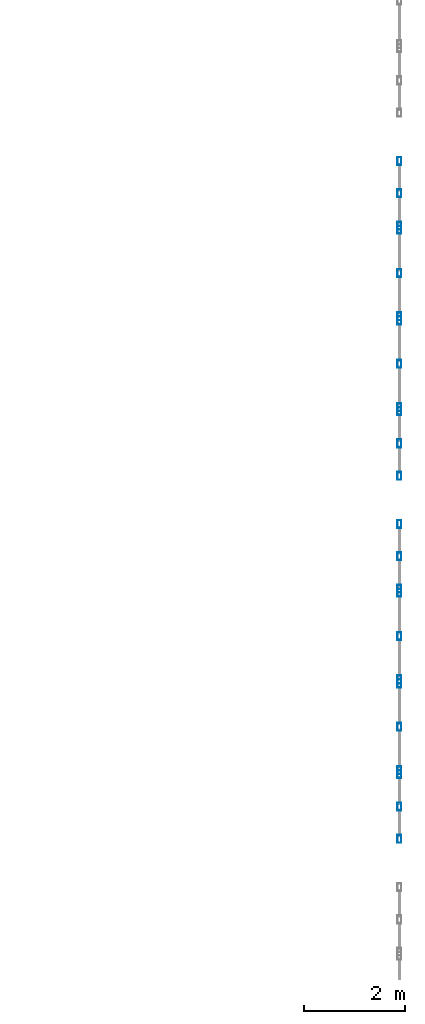
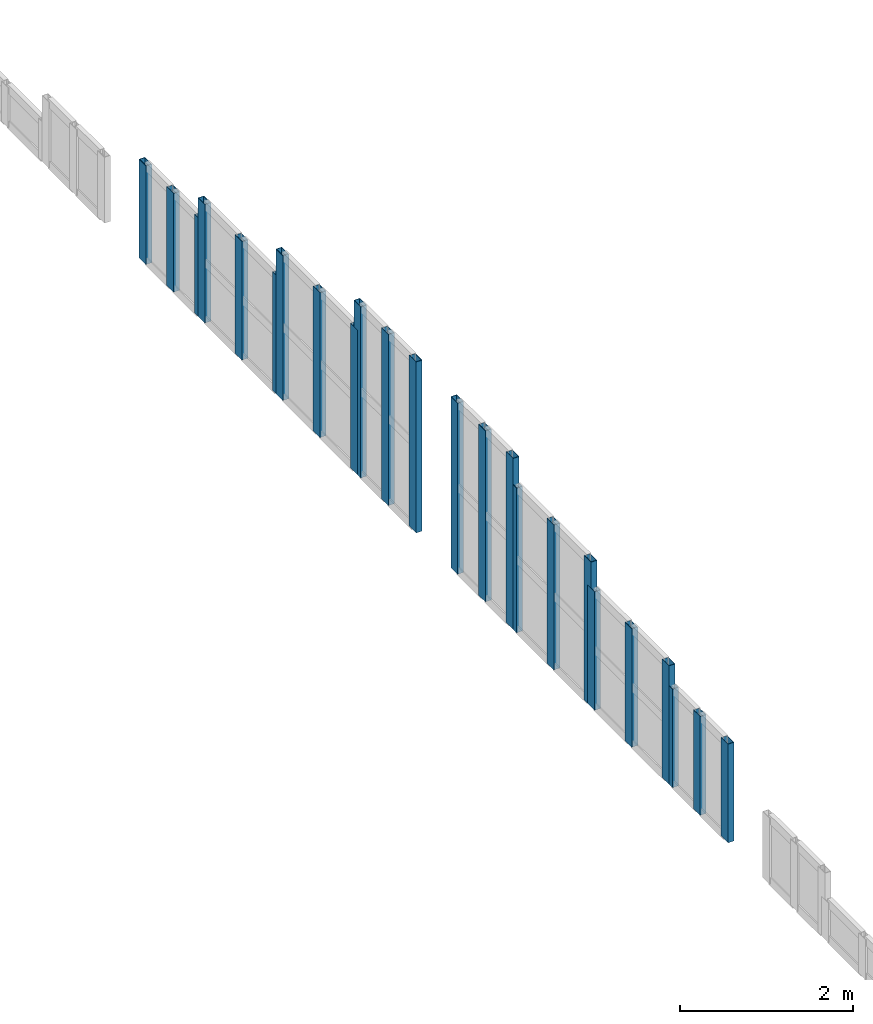
# One storey, part 4 of 20: 24 members, 8 elements without a shape of their own.
"""IFC4 building model written with IfcOpenShell, lengths in metres."""

from ifc_helpers import new_model, si_unit, direction, frame, origin, origin_2d, place, context, subcontext, project, spatial, hollow_rectangle, extrude, material, layer, layer_set, material_profile, profile_set, type_object, element, aggregate, save


model = new_model("IFC4")

# Units and contexts
model_context = context("Model", 3, precision=1e-05, world=origin(), true_north=direction((0.0, 1.0)))
body_context = subcontext(model_context, "Body", "Model", "MODEL_VIEW")
ifc_project = project(units=[si_unit("LENGTHUNIT", "METRE"), si_unit("AREAUNIT", "SQUARE_METRE"), si_unit("VOLUMEUNIT", "CUBIC_METRE"), si_unit("PLANEANGLEUNIT", "RADIAN"), si_unit("MASSUNIT", "GRAM", prefix="KILO"), si_unit("THERMODYNAMICTEMPERATUREUNIT", "KELVIN"), si_unit("POWERUNIT", "WATT")], contexts=[model_context])

# Site, building, storey
site_placement = place(None, origin())
site = spatial("IfcSite", under=ifc_project, at=site_placement, CompositionType="ELEMENT")
building_placement = place(site_placement, origin())
building = spatial("IfcBuilding", under=site, at=building_placement, Name="Kaldorven Railside Theatre", CompositionType="ELEMENT")
storey_placement = place(building_placement, frame((0.0, 0.0, 23.10009765625)))
storey = spatial("IfcBuildingStorey", under=building, at=storey_placement, Name="L05", CompositionType="ELEMENT", Elevation=23.10009765625)

# Curtain wall, members
ifc_material_1 = material(Name="Low-E laminated solar-control glass", Category="glass")
ifc_layer_1 = layer(ifc_material_1, 0.159912109375, Name="Low-E laminated solar-control glass")
ifc_layer_set_1 = layer_set([ifc_layer_1], Name="Low-E laminated solar-control glass")
curtain_wall_type_1 = type_object("IfcCurtainWallType", Name="CWT-73", PredefinedType="USERDEFINED", material=ifc_layer_set_1)
curtain_wall_1_placement = place(storey_placement, origin())
curtain_wall_1 = element("IfcCurtainWall", 1, at=curtain_wall_1_placement, inside=storey, type_object=curtain_wall_type_1, Name="Production East Gable Clerestory CWG-174", ObjectType="FLUTED GLAZING", PredefinedType="USERDEFINED")
ifc_material_2 = material(Name="Anodised bronze aluminium", Category="aluminium")
ifc_material_profile = material_profile(ifc_material_2, hollow_rectangle(XDim=0.080078125, YDim=0.159912109375, WallThickness=0.00634765625, at=origin_2d()), Name="RHS 160x80x6.3")
ifc_profile_set = profile_set([ifc_material_profile], Name="Anodised bronze aluminium")
member_type = type_object("IfcMemberType", Name="CWM-160", PredefinedType="MULLION", material=ifc_profile_set)
member_1_placement = place(storey_placement, frame((166.39990234375, 120.47998046875, 0.02001953125), z_axis=(0.0, 0.0, 1.0), x_axis=(-1.0, 0.0, 0.0)))
member_1 = element("IfcMember", 2, at=member_1_placement, type_object=member_type, Name="CWG-174 mullion 1", PredefinedType="MULLION", context=body_context, shape_type="SweptSolid", body=[
    extrude(hollow_rectangle(XDim=0.080078125, YDim=0.159912109375, WallThickness=0.00634765625, at=origin_2d()), origin(), (0.0, 0.0, 1.0), 1.389892578125),
])
member_2_placement = place(storey_placement, frame((166.39990234375, 121.1201171875, 0.02001953125), z_axis=(0.0, 0.0, 1.0), x_axis=(-1.0, 0.0, 0.0)))
member_2 = element("IfcMember", 3, at=member_2_placement, type_object=member_type, Name="CWG-174 mullion 2", PredefinedType="MULLION", context=body_context, shape_type="SweptSolid", body=[
    extrude(hollow_rectangle(XDim=0.080078125, YDim=0.159912109375, WallThickness=0.00634765625, at=origin_2d()), origin(), (0.0, 0.0, 1.0), 1.389892578125),
])
member_3_placement = place(storey_placement, frame((166.39990234375, 121.760009765625, 0.02001953125), z_axis=(0.0, 0.0, 1.0), x_axis=(-1.0, 0.0, 0.0)))
member_3 = element("IfcMember", 4, at=member_3_placement, type_object=member_type, Name="CWG-174 mullion 3", PredefinedType="MULLION", context=body_context, shape_type="SweptSolid", body=[
    extrude(hollow_rectangle(XDim=0.080078125, YDim=0.159912109375, WallThickness=0.00634765625, at=origin_2d()), origin(), (0.0, 0.0, 1.0), 1.389892578125),
])
aggregate(curtain_wall_1, [member_1, member_2, member_3])

ifc_layer_2 = layer(ifc_material_1, 0.159912109375, Name="Low-E laminated solar-control glass")
ifc_layer_set_2 = layer_set([ifc_layer_2], Name="Low-E laminated solar-control glass")
curtain_wall_type_2 = type_object("IfcCurtainWallType", Name="CWT-74", PredefinedType="USERDEFINED", material=ifc_layer_set_2)
curtain_wall_2_placement = place(storey_placement, origin())
curtain_wall_2 = element("IfcCurtainWall", 5, at=curtain_wall_2_placement, inside=storey, type_object=curtain_wall_type_2, Name="Production East Gable Clerestory CWG-175", ObjectType="FLUTED GLAZING", PredefinedType="USERDEFINED")
member_4_placement = place(storey_placement, frame((166.39990234375, 121.840087890625, 0.02001953125), z_axis=(0.0, 0.0, 1.0), x_axis=(-1.0, 0.0, 0.0)))
member_4 = element("IfcMember", 6, at=member_4_placement, type_object=member_type, Name="CWG-175 mullion 1", PredefinedType="MULLION", context=body_context, shape_type="SweptSolid", body=[
    extrude(hollow_rectangle(XDim=0.080078125, YDim=0.159912109375, WallThickness=0.00634765625, at=origin_2d()), origin(), (0.0, 0.0, 1.0), 1.669921875),
])
member_5_placement = place(storey_placement, frame((166.39990234375, 122.699951171875, 0.02001953125), z_axis=(0.0, 0.0, 1.0), x_axis=(-1.0, 0.0, 0.0)))
member_5 = element("IfcMember", 7, at=member_5_placement, type_object=member_type, Name="CWG-175 mullion 2", PredefinedType="MULLION", context=body_context, shape_type="SweptSolid", body=[
    extrude(hollow_rectangle(XDim=0.080078125, YDim=0.159912109375, WallThickness=0.00634765625, at=origin_2d()), origin(), (0.0, 0.0, 1.0), 1.669921875),
])
member_6_placement = place(storey_placement, frame((166.39990234375, 123.56005859375, 0.02001953125), z_axis=(0.0, 0.0, 1.0), x_axis=(-1.0, 0.0, 0.0)))
member_6 = element("IfcMember", 8, at=member_6_placement, type_object=member_type, Name="CWG-175 mullion 3", PredefinedType="MULLION", context=body_context, shape_type="SweptSolid", body=[
    extrude(hollow_rectangle(XDim=0.080078125, YDim=0.159912109375, WallThickness=0.00634765625, at=origin_2d()), origin(), (0.0, 0.0, 1.0), 1.669921875),
])
aggregate(curtain_wall_2, [member_4, member_5, member_6])

ifc_layer_3 = layer(ifc_material_1, 0.159912109375, Name="Low-E laminated solar-control glass")
ifc_layer_set_3 = layer_set([ifc_layer_3], Name="Low-E laminated solar-control glass")
curtain_wall_type_3 = type_object("IfcCurtainWallType", Name="CWT-75", PredefinedType="USERDEFINED", material=ifc_layer_set_3)
curtain_wall_3_placement = place(storey_placement, origin())
curtain_wall_3 = element("IfcCurtainWall", 9, at=curtain_wall_3_placement, inside=storey, type_object=curtain_wall_type_3, Name="Production East Gable Clerestory CWG-176", ObjectType="FLUTED GLAZING", PredefinedType="USERDEFINED")
member_7_placement = place(storey_placement, frame((166.39990234375, 123.639892578125, 0.02001953125), z_axis=(0.0, 0.0, 1.0), x_axis=(-1.0, 0.0, 0.0)))
member_7 = element("IfcMember", 10, at=member_7_placement, type_object=member_type, Name="CWG-176 mullion 1", PredefinedType="MULLION", context=body_context, shape_type="SweptSolid", body=[
    extrude(hollow_rectangle(XDim=0.080078125, YDim=0.159912109375, WallThickness=0.00634765625, at=origin_2d()), origin(), (0.0, 0.0, 1.0), 2.039794921875),
])
member_8_placement = place(storey_placement, frame((166.39990234375, 124.5, 0.02001953125), z_axis=(0.0, 0.0, 1.0), x_axis=(-1.0, 0.0, 0.0)))
member_8 = element("IfcMember", 11, at=member_8_placement, type_object=member_type, Name="CWG-176 mullion 2", PredefinedType="MULLION", context=body_context, shape_type="SweptSolid", body=[
    extrude(hollow_rectangle(XDim=0.080078125, YDim=0.159912109375, WallThickness=0.00634765625, at=origin_2d()), origin(), (0.0, 0.0, 1.0), 2.039794921875),
])
member_9_placement = place(storey_placement, frame((166.39990234375, 125.360107421875, 0.02001953125), z_axis=(0.0, 0.0, 1.0), x_axis=(-1.0, 0.0, 0.0)))
member_9 = element("IfcMember", 12, at=member_9_placement, type_object=member_type, Name="CWG-176 mullion 3", PredefinedType="MULLION", context=body_context, shape_type="SweptSolid", body=[
    extrude(hollow_rectangle(XDim=0.080078125, YDim=0.159912109375, WallThickness=0.00634765625, at=origin_2d()), origin(), (0.0, 0.0, 1.0), 2.039794921875),
])
aggregate(curtain_wall_3, [member_7, member_8, member_9])

ifc_layer_4 = layer(ifc_material_1, 0.159912109375, Name="Low-E laminated solar-control glass")
ifc_layer_set_4 = layer_set([ifc_layer_4], Name="Low-E laminated solar-control glass")
curtain_wall_type_4 = type_object("IfcCurtainWallType", Name="CWT-76", PredefinedType="USERDEFINED", material=ifc_layer_set_4)
curtain_wall_4_placement = place(storey_placement, origin())
curtain_wall_4 = element("IfcCurtainWall", 13, at=curtain_wall_4_placement, inside=storey, type_object=curtain_wall_type_4, Name="Production East Gable Clerestory CWG-177", ObjectType="FLUTED GLAZING", PredefinedType="USERDEFINED")
member_10_placement = place(storey_placement, frame((166.39990234375, 125.43994140625, 0.02001953125), z_axis=(0.0, 0.0, 1.0), x_axis=(-1.0, 0.0, 0.0)))
member_10 = element("IfcMember", 14, at=member_10_placement, type_object=member_type, Name="CWG-177 mullion 1", PredefinedType="MULLION", context=body_context, shape_type="SweptSolid", body=[
    extrude(hollow_rectangle(XDim=0.080078125, YDim=0.159912109375, WallThickness=0.00634765625, at=origin_2d()), origin(), (0.0, 0.0, 1.0), 2.409912109375),
])
member_11_placement = place(storey_placement, frame((166.39990234375, 126.080078125, 0.02001953125), z_axis=(0.0, 0.0, 1.0), x_axis=(-1.0, 0.0, 0.0)))
member_11 = element("IfcMember", 15, at=member_11_placement, type_object=member_type, Name="CWG-177 mullion 2", PredefinedType="MULLION", context=body_context, shape_type="SweptSolid", body=[
    extrude(hollow_rectangle(XDim=0.080078125, YDim=0.159912109375, WallThickness=0.00634765625, at=origin_2d()), origin(), (0.0, 0.0, 1.0), 2.409912109375),
])
member_12_placement = place(storey_placement, frame((166.39990234375, 126.719970703125, 0.02001953125), z_axis=(0.0, 0.0, 1.0), x_axis=(-1.0, 0.0, 0.0)))
member_12 = element("IfcMember", 16, at=member_12_placement, type_object=member_type, Name="CWG-177 mullion 3", PredefinedType="MULLION", context=body_context, shape_type="SweptSolid", body=[
    extrude(hollow_rectangle(XDim=0.080078125, YDim=0.159912109375, WallThickness=0.00634765625, at=origin_2d()), origin(), (0.0, 0.0, 1.0), 2.409912109375),
])
aggregate(curtain_wall_4, [member_10, member_11, member_12])

curtain_wall_5_placement = place(storey_placement, origin())
curtain_wall_5 = element("IfcCurtainWall", 17, at=curtain_wall_5_placement, inside=storey, type_object=curtain_wall_type_4, Name="Production East Gable Clerestory CWG-178", ObjectType="FLUTED GLAZING", PredefinedType="USERDEFINED")
member_13_placement = place(storey_placement, frame((166.39990234375, 127.679931640625, 0.02001953125), z_axis=(0.0, 0.0, 1.0), x_axis=(-1.0, 0.0, 0.0)))
member_13 = element("IfcMember", 18, at=member_13_placement, type_object=member_type, Name="CWG-178 mullion 1", PredefinedType="MULLION", context=body_context, shape_type="SweptSolid", body=[
    extrude(hollow_rectangle(XDim=0.080078125, YDim=0.159912109375, WallThickness=0.00634765625, at=origin_2d()), origin(), (0.0, 0.0, 1.0), 2.409912109375),
])
member_14_placement = place(storey_placement, frame((166.39990234375, 128.320068359375, 0.02001953125), z_axis=(0.0, 0.0, 1.0), x_axis=(-1.0, 0.0, 0.0)))
member_14 = element("IfcMember", 19, at=member_14_placement, type_object=member_type, Name="CWG-178 mullion 2", PredefinedType="MULLION", context=body_context, shape_type="SweptSolid", body=[
    extrude(hollow_rectangle(XDim=0.080078125, YDim=0.159912109375, WallThickness=0.00634765625, at=origin_2d()), origin(), (0.0, 0.0, 1.0), 2.409912109375),
])
member_15_placement = place(storey_placement, frame((166.39990234375, 128.9599609375, 0.02001953125), z_axis=(0.0, 0.0, 1.0), x_axis=(-1.0, 0.0, 0.0)))
member_15 = element("IfcMember", 20, at=member_15_placement, type_object=member_type, Name="CWG-178 mullion 3", PredefinedType="MULLION", context=body_context, shape_type="SweptSolid", body=[
    extrude(hollow_rectangle(XDim=0.080078125, YDim=0.159912109375, WallThickness=0.00634765625, at=origin_2d()), origin(), (0.0, 0.0, 1.0), 2.409912109375),
])
aggregate(curtain_wall_5, [member_13, member_14, member_15])

curtain_wall_6_placement = place(storey_placement, origin())
curtain_wall_6 = element("IfcCurtainWall", 21, at=curtain_wall_6_placement, inside=storey, type_object=curtain_wall_type_3, Name="Production East Gable Clerestory CWG-179", ObjectType="FLUTED GLAZING", PredefinedType="USERDEFINED")
member_16_placement = place(storey_placement, frame((166.39990234375, 129.0400390625, 0.02001953125), z_axis=(0.0, 0.0, 1.0), x_axis=(-1.0, 0.0, 0.0)))
member_16 = element("IfcMember", 22, at=member_16_placement, type_object=member_type, Name="CWG-179 mullion 1", PredefinedType="MULLION", context=body_context, shape_type="SweptSolid", body=[
    extrude(hollow_rectangle(XDim=0.080078125, YDim=0.159912109375, WallThickness=0.00634765625, at=origin_2d()), origin(), (0.0, 0.0, 1.0), 2.039794921875),
])
member_17_placement = place(storey_placement, frame((166.39990234375, 129.89990234375, 0.02001953125), z_axis=(0.0, 0.0, 1.0), x_axis=(-1.0, 0.0, 0.0)))
member_17 = element("IfcMember", 23, at=member_17_placement, type_object=member_type, Name="CWG-179 mullion 2", PredefinedType="MULLION", context=body_context, shape_type="SweptSolid", body=[
    extrude(hollow_rectangle(XDim=0.080078125, YDim=0.159912109375, WallThickness=0.00634765625, at=origin_2d()), origin(), (0.0, 0.0, 1.0), 2.039794921875),
])
member_18_placement = place(storey_placement, frame((166.39990234375, 130.760009765625, 0.02001953125), z_axis=(0.0, 0.0, 1.0), x_axis=(-1.0, 0.0, 0.0)))
member_18 = element("IfcMember", 24, at=member_18_placement, type_object=member_type, Name="CWG-179 mullion 3", PredefinedType="MULLION", context=body_context, shape_type="SweptSolid", body=[
    extrude(hollow_rectangle(XDim=0.080078125, YDim=0.159912109375, WallThickness=0.00634765625, at=origin_2d()), origin(), (0.0, 0.0, 1.0), 2.039794921875),
])
aggregate(curtain_wall_6, [member_16, member_17, member_18])

curtain_wall_7_placement = place(storey_placement, origin())
curtain_wall_7 = element("IfcCurtainWall", 25, at=curtain_wall_7_placement, inside=storey, type_object=curtain_wall_type_2, Name="Production East Gable Clerestory CWG-180", ObjectType="FLUTED GLAZING", PredefinedType="USERDEFINED")
member_19_placement = place(storey_placement, frame((166.39990234375, 130.840087890625, 0.02001953125), z_axis=(0.0, 0.0, 1.0), x_axis=(-1.0, 0.0, 0.0)))
member_19 = element("IfcMember", 26, at=member_19_placement, type_object=member_type, Name="CWG-180 mullion 1", PredefinedType="MULLION", context=body_context, shape_type="SweptSolid", body=[
    extrude(hollow_rectangle(XDim=0.080078125, YDim=0.159912109375, WallThickness=0.00634765625, at=origin_2d()), origin(), (0.0, 0.0, 1.0), 1.669921875),
])
member_20_placement = place(storey_placement, frame((166.39990234375, 131.699951171875, 0.02001953125), z_axis=(0.0, 0.0, 1.0), x_axis=(-1.0, 0.0, 0.0)))
member_20 = element("IfcMember", 27, at=member_20_placement, type_object=member_type, Name="CWG-180 mullion 2", PredefinedType="MULLION", context=body_context, shape_type="SweptSolid", body=[
    extrude(hollow_rectangle(XDim=0.080078125, YDim=0.159912109375, WallThickness=0.00634765625, at=origin_2d()), origin(), (0.0, 0.0, 1.0), 1.669921875),
])
member_21_placement = place(storey_placement, frame((166.39990234375, 132.56005859375, 0.02001953125), z_axis=(0.0, 0.0, 1.0), x_axis=(-1.0, 0.0, 0.0)))
member_21 = element("IfcMember", 28, at=member_21_placement, type_object=member_type, Name="CWG-180 mullion 3", PredefinedType="MULLION", context=body_context, shape_type="SweptSolid", body=[
    extrude(hollow_rectangle(XDim=0.080078125, YDim=0.159912109375, WallThickness=0.00634765625, at=origin_2d()), origin(), (0.0, 0.0, 1.0), 1.669921875),
])
aggregate(curtain_wall_7, [member_19, member_20, member_21])

curtain_wall_8_placement = place(storey_placement, origin())
curtain_wall_8 = element("IfcCurtainWall", 29, at=curtain_wall_8_placement, inside=storey, type_object=curtain_wall_type_1, Name="Production East Gable Clerestory CWG-181", ObjectType="FLUTED GLAZING", PredefinedType="USERDEFINED")
member_22_placement = place(storey_placement, frame((166.39990234375, 132.639892578125, 0.02001953125), z_axis=(0.0, 0.0, 1.0), x_axis=(-1.0, 0.0, 0.0)))
member_22 = element("IfcMember", 30, at=member_22_placement, type_object=member_type, Name="CWG-181 mullion 1", PredefinedType="MULLION", context=body_context, shape_type="SweptSolid", body=[
    extrude(hollow_rectangle(XDim=0.080078125, YDim=0.159912109375, WallThickness=0.00634765625, at=origin_2d()), origin(), (0.0, 0.0, 1.0), 1.389892578125),
])
member_23_placement = place(storey_placement, frame((166.39990234375, 133.280029296875, 0.02001953125), z_axis=(0.0, 0.0, 1.0), x_axis=(-1.0, 0.0, 0.0)))
member_23 = element("IfcMember", 31, at=member_23_placement, type_object=member_type, Name="CWG-181 mullion 2", PredefinedType="MULLION", context=body_context, shape_type="SweptSolid", body=[
    extrude(hollow_rectangle(XDim=0.080078125, YDim=0.159912109375, WallThickness=0.00634765625, at=origin_2d()), origin(), (0.0, 0.0, 1.0), 1.389892578125),
])
member_24_placement = place(storey_placement, frame((166.39990234375, 133.919921875, 0.02001953125), z_axis=(0.0, 0.0, 1.0), x_axis=(-1.0, 0.0, 0.0)))
member_24 = element("IfcMember", 32, at=member_24_placement, type_object=member_type, Name="CWG-181 mullion 3", PredefinedType="MULLION", context=body_context, shape_type="SweptSolid", body=[
    extrude(hollow_rectangle(XDim=0.080078125, YDim=0.159912109375, WallThickness=0.00634765625, at=origin_2d()), origin(), (0.0, 0.0, 1.0), 1.389892578125),
])
aggregate(curtain_wall_8, [member_22, member_23, member_24])

save(model, "model.ifc")
